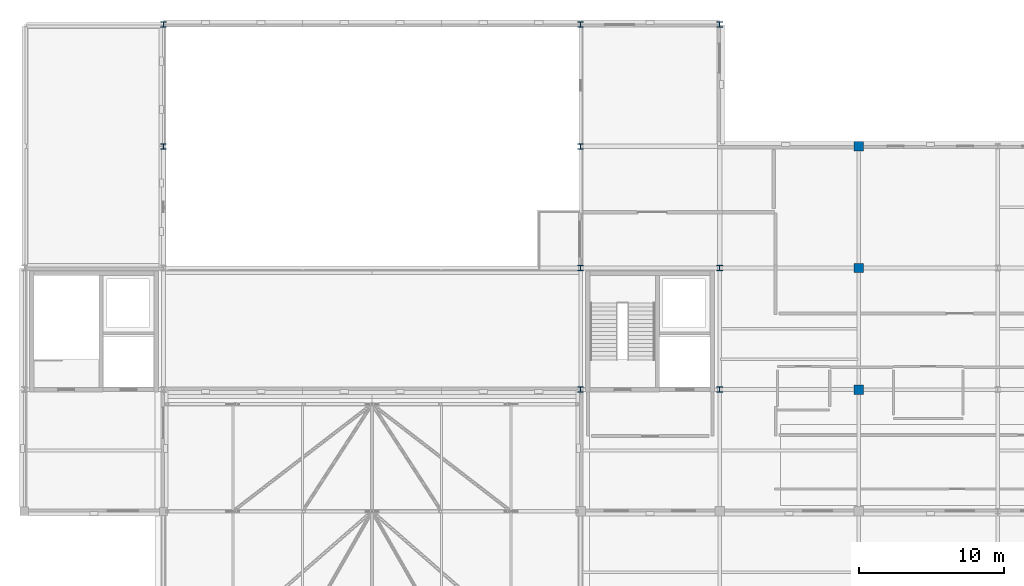
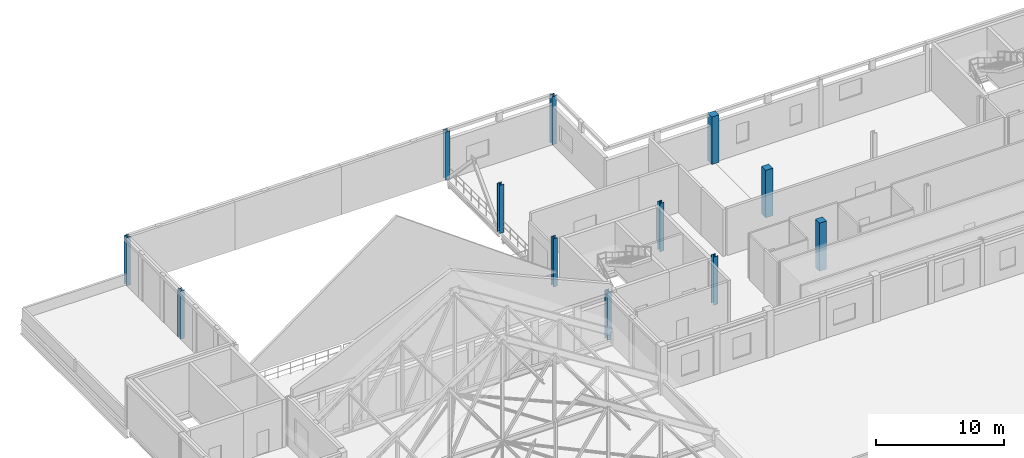
# One storey, part 2 of 26: 12 columns.
"""IFC4 building model written with IfcOpenShell, lengths in metres."""

from ifc_helpers import new_model, si_unit, direction, frame, origin, origin_2d, place, context, subcontext, project, spatial, rectangle, i_section, extrude, material, material_profile, profile_set, type_object, element, save


model = new_model("IFC4")

# Units and contexts
model_context = context("Model", 3, precision=1e-05, world=origin(), true_north=direction((0.0, 1.0)))
body_context = subcontext(model_context, "Body", "Model", "MODEL_VIEW")
ifc_project = project(units=[si_unit("LENGTHUNIT", "METRE"), si_unit("AREAUNIT", "SQUARE_METRE"), si_unit("VOLUMEUNIT", "CUBIC_METRE"), si_unit("PLANEANGLEUNIT", "RADIAN"), si_unit("MASSUNIT", "GRAM", prefix="KILO")], contexts=[model_context])

# Site, building, storey
site_placement = place(None, origin())
site = spatial("IfcSite", under=ifc_project, at=site_placement, CompositionType="ELEMENT")
building_placement = place(site_placement, origin())
building = spatial("IfcBuilding", under=site, at=building_placement, Name="Lornevale Opera House", CompositionType="ELEMENT")
storey_placement = place(building_placement, frame((0.0, 0.0, 19.800048828125)))
storey = spatial("IfcBuildingStorey", under=building, at=storey_placement, Name="L05", CompositionType="ELEMENT", Elevation=19.800048828125)

# Columns
ifc_material_1 = material(Name="Concrete 40 MPa (CSA A23.1 C-1)", Category="concrete")
ifc_material_profile_1 = material_profile(ifc_material_1, rectangle(XDim=0.64990234375, YDim=0.64990234375, at=origin_2d()), Name="RC650x650")
ifc_profile_set_1 = profile_set([ifc_material_profile_1], Name="Concrete 40 MPa (CSA A23.1 C-1)")
column_type_1 = type_object("IfcColumnType", Name="Concrete Column 650x650", PredefinedType="COLUMN", material=ifc_profile_set_1)
column_placement = place(storey_placement, frame((115.199951171875, 58.800048828125, 0.0), z_axis=(0.0, 0.0, 1.0), x_axis=(1.0, 0.0, 0.0)))
element("IfcColumn", 1, at=column_placement, inside=storey, type_object=column_type_1, Name="Concrete Column 650x650 0795", PredefinedType="COLUMN", context=body_context, shape_type="SweptSolid", body=[
    extrude(rectangle(XDim=0.64990234375, YDim=0.64990234375, at=origin_2d()), origin(), (0.0, 0.0, 1.0), 4.599853515625),
])
for number, where, z_axis, x_axis, name in (
    (2, (115.199951171875, 67.199951171875, 0.0), (0.0, 0.0, 1.0), (1.0, 0.0, 0.0), "Concrete Column 650x650 0803"),
    (3, (115.199951171875, 75.60009765625, 0.0), (0.0, 0.0, 1.0), (1.0, 0.0, 0.0), "Concrete Column 650x650 0811"),
):
    element("IfcColumn", number, at=place(storey_placement, frame(where, z_axis=z_axis, x_axis=x_axis)), inside=storey, type_object=column_type_1, Name=name, PredefinedType="COLUMN", context=body_context, shape_type="SweptSolid", body=[
        extrude(rectangle(XDim=0.64990234375, YDim=0.64990234375, at=origin_2d()), origin(), (0.0, 0.0, 1.0), 4.530029296875),
    ])
ifc_material_2 = material(Name="Structural Steel CSA G40.21 Grade 350W (350 MPa)", Category="steel")
ifc_material_profile_2 = material_profile(ifc_material_2, i_section(OverallWidth=0.39599609375, OverallDepth=0.386962890625, WebThickness=0.02490234375, FlangeThickness=0.0380859375, at=origin_2d()), Name="W360x262")
ifc_profile_set_2 = profile_set([ifc_material_profile_2], Name="Structural Steel CSA G40.21 Grade 350W (350 MPa)")
column_type_2 = type_object("IfcColumnType", Name="Steel Stagehouse Column W360x262", PredefinedType="COLUMN", material=ifc_profile_set_2)
for number, where, z_axis, x_axis, name in (
    (4, (67.199951171875, 75.60009765625, 0.0), (0.0, 0.0, 1.0), (1.0, 0.0, 0.0), "Steel Stagehouse Column W360x262 0473"),
    (5, (67.199951171875, 84.0, 0.0), (0.0, 0.0, 1.0), (1.0, 0.0, 0.0), "Steel Stagehouse Column W360x262 0481"),
    (6, (96.0, 58.800048828125, 0.0), (0.0, 0.0, 1.0), (1.0, 0.0, 0.0), "Steel Stagehouse Column W360x262 0639"),
    (7, (96.0, 67.199951171875, 0.0), (0.0, 0.0, 1.0), (1.0, 0.0, 0.0), "Steel Stagehouse Column W360x262 0647"),
    (8, (96.0, 75.60009765625, 0.0), (0.0, 0.0, 1.0), (1.0, 0.0, 0.0), "Steel Stagehouse Column W360x262 0655"),
    (9, (96.0, 84.0, 0.0), (0.0, 0.0, 1.0), (1.0, 0.0, 0.0), "Steel Stagehouse Column W360x262 0663"),
    (10, (105.60009765625, 58.800048828125, 0.0), (0.0, 0.0, 1.0), (1.0, 0.0, 0.0), "Steel Stagehouse Column W360x262 0720"),
    (11, (105.60009765625, 67.199951171875, 0.0), (0.0, 0.0, 1.0), (1.0, 0.0, 0.0), "Steel Stagehouse Column W360x262 0728"),
    (12, (105.60009765625, 84.0, 0.0), (0.0, 0.0, 1.0), (1.0, 0.0, 0.0), "Steel Stagehouse Column W360x262 0738"),
):
    element("IfcColumn", number, at=place(storey_placement, frame(where, z_axis=z_axis, x_axis=x_axis)), inside=storey, type_object=column_type_2, Name=name, PredefinedType="COLUMN", context=body_context, shape_type="SweptSolid", body=[
        extrude(i_section(OverallWidth=0.39599609375, OverallDepth=0.386962890625, WebThickness=0.02490234375, FlangeThickness=0.0380859375, at=origin_2d()), origin(), (0.0, 0.0, 1.0), 4.599853515625),
    ])

save(model, "model.ifc")
